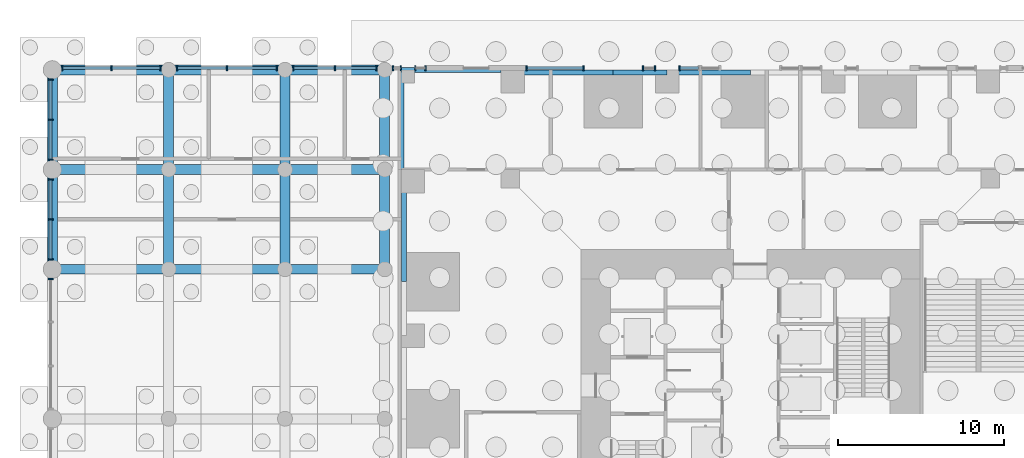
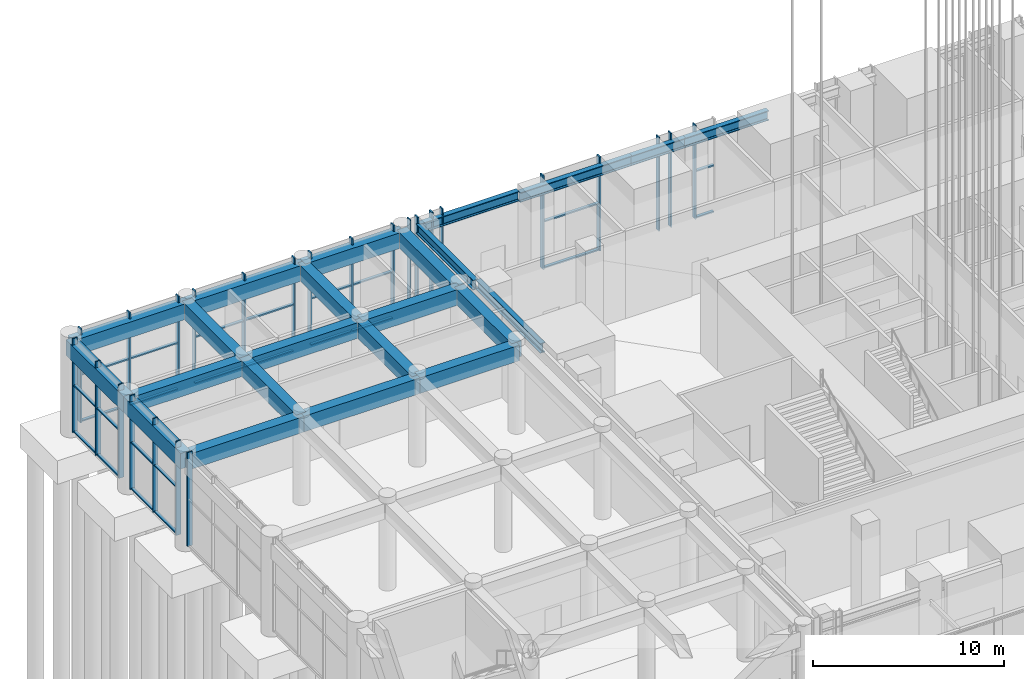
# One storey, part 7 of 46: 49 members, 23 beams, 11 elements without a shape of their own.
"""IFC4 building model written with IfcOpenShell, lengths in metres."""

from ifc_helpers import new_model, si_unit, direction, frame, origin, origin_2d, place, context, subcontext, project, spatial, rectangle, i_section, extrude, material, material_profile, profile_set, type_object, element, aggregate, save


model = new_model("IFC4")

# Units and contexts
model_context = context("Model", 3, precision=1e-05, world=origin(), true_north=direction((0.0, 1.0)))
body_context = subcontext(model_context, "Body", "Model", "MODEL_VIEW")
ifc_project = project(units=[si_unit("LENGTHUNIT", "METRE"), si_unit("AREAUNIT", "SQUARE_METRE"), si_unit("VOLUMEUNIT", "CUBIC_METRE"), si_unit("PLANEANGLEUNIT", "RADIAN"), si_unit("MASSUNIT", "GRAM", prefix="KILO")], contexts=[model_context])

# Site, building, storey
site_placement = place(None, origin())
site = spatial("IfcSite", under=ifc_project, at=site_placement, CompositionType="ELEMENT")
building_placement = place(site_placement, origin())
building = spatial("IfcBuilding", under=site, at=building_placement, Name="Svetlomir Tower", CompositionType="ELEMENT")
storey_placement = place(building_placement, origin())
storey = spatial("IfcBuildingStorey", under=building, at=storey_placement, Name="L00", CompositionType="ELEMENT", Elevation=0.0)

# Curtain wall, member
ifc_material_1 = material(Name="Bronze anodised aluminium curtain wall", Category="aluminium")
curtain_wall_type = type_object("IfcCurtainWallType", Name="CURTAIN WALL CW5 PODIUM", PredefinedType="NOTDEFINED", material=ifc_material_1)
curtain_wall_1_placement = place(storey_placement, origin())
curtain_wall_1 = element("IfcCurtainWall", 1, at=curtain_wall_1_placement, inside=storey, type_object=curtain_wall_type, Name="Curtain wall CW5 L00", PredefinedType="NOTDEFINED")
ifc_material_2 = material(Name="Bronze anodised aluminium", Category="aluminium")
ifc_material_profile_1 = material_profile(ifc_material_2, rectangle(XDim=0.080078125, YDim=0.300048828125, at=origin_2d()), Name="AL 80x300")
ifc_profile_set_1 = profile_set([ifc_material_profile_1], Name="Bronze anodised aluminium 6063-T6")
member_type_1 = type_object("IfcMemberType", Name="CW5 MULLION 80x300", PredefinedType="MULLION", material=ifc_profile_set_1)
member_1_placement = place(storey_placement, frame((16.739990234375, 42.10009765625, 0.0), z_axis=(0.0, 0.0, 1.0), x_axis=(-1.0, 0.0, 0.0)))
member_1 = element("IfcMember", 2, at=member_1_placement, type_object=member_type_1, Name="CW5 mullion 2", PredefinedType="MULLION", context=body_context, shape_type="SweptSolid", body=[
    extrude(rectangle(XDim=0.080078125, YDim=0.300048828125, at=origin_2d()), origin(), (0.0, 0.0, 1.0), 6.0),
])

# Curtain wall, members
curtain_wall_2_placement = place(storey_placement, origin())
curtain_wall_2 = element("IfcCurtainWall", 3, at=curtain_wall_2_placement, inside=storey, type_object=curtain_wall_type, Name="Curtain wall CW5 L00", PredefinedType="NOTDEFINED")
member_2_placement = place(storey_placement, frame((15.260009765625, 42.10009765625, 0.0), z_axis=(0.0, 0.0, 1.0), x_axis=(-1.0, 0.0, 0.0)))
member_2 = element("IfcMember", 4, at=member_2_placement, type_object=member_type_1, Name="CW5 mullion 1", PredefinedType="MULLION", context=body_context, shape_type="SweptSolid", body=[
    extrude(rectangle(XDim=0.080078125, YDim=0.300048828125, at=origin_2d()), origin(), (0.0, 0.0, 1.0), 6.0),
])
member_3_placement = place(storey_placement, frame((14.5400390625, 42.10009765625, 0.0), z_axis=(0.0, 0.0, 1.0), x_axis=(-1.0, 0.0, 0.0)))
member_3 = element("IfcMember", 5, at=member_3_placement, type_object=member_type_1, Name="CW5 mullion 2", PredefinedType="MULLION", context=body_context, shape_type="SweptSolid", body=[
    extrude(rectangle(XDim=0.080078125, YDim=0.300048828125, at=origin_2d()), origin(), (0.0, 0.0, 1.0), 6.0),
])
aggregate(curtain_wall_2, [member_2, member_3])

curtain_wall_3_placement = place(storey_placement, origin())
curtain_wall_3 = element("IfcCurtainWall", 6, at=curtain_wall_3_placement, inside=storey, type_object=curtain_wall_type, Name="Curtain wall CW5 L00", PredefinedType="NOTDEFINED")
member_4_placement = place(storey_placement, frame((10.9599609375, 42.10009765625, 0.0), z_axis=(0.0, 0.0, 1.0), x_axis=(-1.0, 0.0, 0.0)))
member_4 = element("IfcMember", 7, at=member_4_placement, type_object=member_type_1, Name="CW5 mullion 1", PredefinedType="MULLION", context=body_context, shape_type="SweptSolid", body=[
    extrude(rectangle(XDim=0.080078125, YDim=0.300048828125, at=origin_2d()), origin(), (0.0, 0.0, 1.0), 6.0),
])
member_5_placement = place(storey_placement, frame((7.5400390625, 42.10009765625, 0.0), z_axis=(0.0, 0.0, 1.0), x_axis=(-1.0, 0.0, 0.0)))
member_5 = element("IfcMember", 8, at=member_5_placement, type_object=member_type_1, Name="CW5 mullion 2", PredefinedType="MULLION", context=body_context, shape_type="SweptSolid", body=[
    extrude(rectangle(XDim=0.080078125, YDim=0.300048828125, at=origin_2d()), origin(), (0.0, 0.0, 1.0), 6.0),
])

curtain_wall_4_placement = place(storey_placement, origin())
curtain_wall_4 = element("IfcCurtainWall", 9, at=curtain_wall_4_placement, inside=storey, type_object=curtain_wall_type, Name="Curtain wall CW5 L00", PredefinedType="NOTDEFINED")
member_6_placement = place(storey_placement, frame((1.4599609375, 42.10009765625, 0.0), z_axis=(0.0, 0.0, 1.0), x_axis=(-1.0, 0.0, 0.0)))
member_6 = element("IfcMember", 10, at=member_6_placement, type_object=member_type_1, Name="CW5 mullion 1", PredefinedType="MULLION", context=body_context, shape_type="SweptSolid", body=[
    extrude(rectangle(XDim=0.080078125, YDim=0.300048828125, at=origin_2d()), origin(), (0.0, 0.0, 1.0), 6.0),
])
member_7_placement = place(storey_placement, frame((0.840087890625, 42.10009765625, 0.0), z_axis=(0.0, 0.0, 1.0), x_axis=(-1.0, 0.0, 0.0)))
member_7 = element("IfcMember", 11, at=member_7_placement, type_object=member_type_1, Name="CW5 mullion 2", PredefinedType="MULLION", context=body_context, shape_type="SweptSolid", body=[
    extrude(rectangle(XDim=0.080078125, YDim=0.300048828125, at=origin_2d()), origin(), (0.0, 0.0, 1.0), 6.0),
])
aggregate(curtain_wall_4, [member_6, member_7])

curtain_wall_5_placement = place(storey_placement, origin())
curtain_wall_5 = element("IfcCurtainWall", 12, at=curtain_wall_5_placement, inside=storey, type_object=curtain_wall_type, Name="Curtain wall CW5 L00", PredefinedType="NOTDEFINED")
member_8_placement = place(storey_placement, frame((-0.0400390625, 42.10009765625, 0.0), z_axis=(0.0, 0.0, 1.0), x_axis=(-1.0, 0.0, 0.0)))
member_8 = element("IfcMember", 13, at=member_8_placement, type_object=member_type_1, Name="CW5 mullion 1", PredefinedType="MULLION", context=body_context, shape_type="SweptSolid", body=[
    extrude(rectangle(XDim=0.080078125, YDim=0.300048828125, at=origin_2d()), origin(), (0.0, 0.0, 1.0), 6.0),
])
member_9_placement = place(storey_placement, frame((-0.510009765625, 42.10009765625, 0.0), z_axis=(0.0, 0.0, 1.0), x_axis=(-1.0, 0.0, 0.0)))
member_9 = element("IfcMember", 14, at=member_9_placement, type_object=member_type_1, Name="CW5 mullion 2", PredefinedType="MULLION", context=body_context, shape_type="SweptSolid", body=[
    extrude(rectangle(XDim=0.080078125, YDim=0.300048828125, at=origin_2d()), origin(), (0.0, 0.0, 1.0), 6.0),
])
aggregate(curtain_wall_5, [member_8, member_9])

curtain_wall_6_placement = place(storey_placement, origin())
curtain_wall_6 = element("IfcCurtainWall", 15, at=curtain_wall_6_placement, inside=storey, type_object=curtain_wall_type, Name="Curtain wall CW5 L00", PredefinedType="NOTDEFINED")
member_10_placement = place(storey_placement, frame((-1.489990234375, 42.10009765625, 0.0), z_axis=(0.0, 0.0, 1.0), x_axis=(-1.0, 0.0, 0.0)))
member_10 = element("IfcMember", 16, at=member_10_placement, type_object=member_type_1, Name="CW5 mullion 1", PredefinedType="MULLION", context=body_context, shape_type="SweptSolid", body=[
    extrude(rectangle(XDim=0.080078125, YDim=0.300048828125, at=origin_2d()), origin(), (0.0, 0.0, 1.0), 6.0),
])
member_11_placement = place(storey_placement, frame((-4.0, 42.10009765625, 0.0), z_axis=(0.0, 0.0, 1.0), x_axis=(-1.0, 0.0, 0.0)))
member_11 = element("IfcMember", 17, at=member_11_placement, type_object=member_type_1, Name="CW5 mullion 2", PredefinedType="MULLION", context=body_context, shape_type="SweptSolid", body=[
    extrude(rectangle(XDim=0.080078125, YDim=0.300048828125, at=origin_2d()), origin(), (0.0, 0.0, 1.0), 6.0),
])
member_12_placement = place(storey_placement, frame((-6.510009765625, 42.10009765625, 0.0), z_axis=(0.0, 0.0, 1.0), x_axis=(-1.0, 0.0, 0.0)))
member_12 = element("IfcMember", 18, at=member_12_placement, type_object=member_type_1, Name="CW5 mullion 3", PredefinedType="MULLION", context=body_context, shape_type="SweptSolid", body=[
    extrude(rectangle(XDim=0.080078125, YDim=0.300048828125, at=origin_2d()), origin(), (0.0, 0.0, 1.0), 6.0),
])

curtain_wall_7_placement = place(storey_placement, origin())
curtain_wall_7 = element("IfcCurtainWall", 19, at=curtain_wall_7_placement, inside=storey, type_object=curtain_wall_type, Name="Curtain wall CW5 L00", PredefinedType="NOTDEFINED")
member_13_placement = place(storey_placement, frame((-7.489990234375, 42.10009765625, 0.0), z_axis=(0.0, 0.0, 1.0), x_axis=(-1.0, 0.0, 0.0)))
member_13 = element("IfcMember", 20, at=member_13_placement, type_object=member_type_1, Name="CW5 mullion 1", PredefinedType="MULLION", context=body_context, shape_type="SweptSolid", body=[
    extrude(rectangle(XDim=0.080078125, YDim=0.300048828125, at=origin_2d()), origin(), (0.0, 0.0, 1.0), 6.0),
])
member_14_placement = place(storey_placement, frame((-10.5, 42.10009765625, 0.0), z_axis=(0.0, 0.0, 1.0), x_axis=(-1.0, 0.0, 0.0)))
member_14 = element("IfcMember", 21, at=member_14_placement, type_object=member_type_1, Name="CW5 mullion 2", PredefinedType="MULLION", context=body_context, shape_type="SweptSolid", body=[
    extrude(rectangle(XDim=0.080078125, YDim=0.300048828125, at=origin_2d()), origin(), (0.0, 0.0, 1.0), 6.0),
])
member_15_placement = place(storey_placement, frame((-13.510009765625, 42.10009765625, 0.0), z_axis=(0.0, 0.0, 1.0), x_axis=(-1.0, 0.0, 0.0)))
member_15 = element("IfcMember", 22, at=member_15_placement, type_object=member_type_1, Name="CW5 mullion 3", PredefinedType="MULLION", context=body_context, shape_type="SweptSolid", body=[
    extrude(rectangle(XDim=0.080078125, YDim=0.300048828125, at=origin_2d()), origin(), (0.0, 0.0, 1.0), 6.0),
])

curtain_wall_8_placement = place(storey_placement, origin())
curtain_wall_8 = element("IfcCurtainWall", 23, at=curtain_wall_8_placement, inside=storey, type_object=curtain_wall_type, Name="Curtain wall CW5 L00", PredefinedType="NOTDEFINED")
member_16_placement = place(storey_placement, frame((-14.489990234375, 42.10009765625, 0.0), z_axis=(0.0, 0.0, 1.0), x_axis=(-1.0, 0.0, 0.0)))
member_16 = element("IfcMember", 24, at=member_16_placement, type_object=member_type_1, Name="CW5 mullion 1", PredefinedType="MULLION", context=body_context, shape_type="SweptSolid", body=[
    extrude(rectangle(XDim=0.080078125, YDim=0.300048828125, at=origin_2d()), origin(), (0.0, 0.0, 1.0), 6.0),
])
member_17_placement = place(storey_placement, frame((-17.449951171875, 42.10009765625, 0.0), z_axis=(0.0, 0.0, 1.0), x_axis=(-1.0, 0.0, 0.0)))
member_17 = element("IfcMember", 25, at=member_17_placement, type_object=member_type_1, Name="CW5 mullion 2", PredefinedType="MULLION", context=body_context, shape_type="SweptSolid", body=[
    extrude(rectangle(XDim=0.080078125, YDim=0.300048828125, at=origin_2d()), origin(), (0.0, 0.0, 1.0), 6.0),
])
member_18_placement = place(storey_placement, frame((-20.409912109375, 42.10009765625, 0.0), z_axis=(0.0, 0.0, 1.0), x_axis=(-1.0, 0.0, 0.0)))
member_18 = element("IfcMember", 26, at=member_18_placement, type_object=member_type_1, Name="CW5 mullion 3", PredefinedType="MULLION", context=body_context, shape_type="SweptSolid", body=[
    extrude(rectangle(XDim=0.080078125, YDim=0.300048828125, at=origin_2d()), origin(), (0.0, 0.0, 1.0), 6.0),
])

curtain_wall_9_placement = place(storey_placement, origin())
curtain_wall_9 = element("IfcCurtainWall", 27, at=curtain_wall_9_placement, inside=storey, type_object=curtain_wall_type, Name="Curtain wall CW5 L00", PredefinedType="NOTDEFINED")
member_19_placement = place(storey_placement, frame((-21.10009765625, 41.409912109375, 0.0), z_axis=(0.0, 0.0, 1.0), x_axis=(0.0, -1.0, 0.0)))
member_19 = element("IfcMember", 28, at=member_19_placement, type_object=member_type_1, Name="CW5 mullion 1", PredefinedType="MULLION", context=body_context, shape_type="SweptSolid", body=[
    extrude(rectangle(XDim=0.080078125, YDim=0.300048828125, at=origin_2d()), origin(), (0.0, 0.0, 1.0), 6.0),
])
member_20_placement = place(storey_placement, frame((-21.10009765625, 39.0, 0.0), z_axis=(0.0, 0.0, 1.0), x_axis=(0.0, -1.0, 0.0)))
member_20 = element("IfcMember", 29, at=member_20_placement, type_object=member_type_1, Name="CW5 mullion 2", PredefinedType="MULLION", context=body_context, shape_type="SweptSolid", body=[
    extrude(rectangle(XDim=0.080078125, YDim=0.300048828125, at=origin_2d()), origin(), (0.0, 0.0, 1.0), 6.0),
])
member_21_placement = place(storey_placement, frame((-21.10009765625, 36.590087890625, 0.0), z_axis=(0.0, 0.0, 1.0), x_axis=(0.0, -1.0, 0.0)))
member_21 = element("IfcMember", 30, at=member_21_placement, type_object=member_type_1, Name="CW5 mullion 3", PredefinedType="MULLION", context=body_context, shape_type="SweptSolid", body=[
    extrude(rectangle(XDim=0.080078125, YDim=0.300048828125, at=origin_2d()), origin(), (0.0, 0.0, 1.0), 6.0),
])

curtain_wall_10_placement = place(storey_placement, origin())
curtain_wall_10 = element("IfcCurtainWall", 31, at=curtain_wall_10_placement, inside=storey, type_object=curtain_wall_type, Name="Curtain wall CW5 L00", PredefinedType="NOTDEFINED")
member_22_placement = place(storey_placement, frame((-21.10009765625, 35.409912109375, 0.0), z_axis=(0.0, 0.0, 1.0), x_axis=(0.0, -1.0, 0.0)))
member_22 = element("IfcMember", 32, at=member_22_placement, type_object=member_type_1, Name="CW5 mullion 1", PredefinedType="MULLION", context=body_context, shape_type="SweptSolid", body=[
    extrude(rectangle(XDim=0.080078125, YDim=0.300048828125, at=origin_2d()), origin(), (0.0, 0.0, 1.0), 6.0),
])
member_23_placement = place(storey_placement, frame((-21.10009765625, 33.0, 0.0), z_axis=(0.0, 0.0, 1.0), x_axis=(0.0, -1.0, 0.0)))
member_23 = element("IfcMember", 33, at=member_23_placement, type_object=member_type_1, Name="CW5 mullion 2", PredefinedType="MULLION", context=body_context, shape_type="SweptSolid", body=[
    extrude(rectangle(XDim=0.080078125, YDim=0.300048828125, at=origin_2d()), origin(), (0.0, 0.0, 1.0), 6.0),
])
member_24_placement = place(storey_placement, frame((-21.10009765625, 30.590087890625, 0.0), z_axis=(0.0, 0.0, 1.0), x_axis=(0.0, -1.0, 0.0)))
member_24 = element("IfcMember", 34, at=member_24_placement, type_object=member_type_1, Name="CW5 mullion 3", PredefinedType="MULLION", context=body_context, shape_type="SweptSolid", body=[
    extrude(rectangle(XDim=0.080078125, YDim=0.300048828125, at=origin_2d()), origin(), (0.0, 0.0, 1.0), 6.0),
])

# Curtain wall, member
curtain_wall_11_placement = place(storey_placement, origin())
curtain_wall_11 = element("IfcCurtainWall", 35, at=curtain_wall_11_placement, inside=storey, type_object=curtain_wall_type, Name="Curtain wall CW5 L00", PredefinedType="NOTDEFINED")
member_25_placement = place(storey_placement, frame((-21.10009765625, 29.409912109375, 0.0), z_axis=(0.0, 0.0, 1.0), x_axis=(0.0, -1.0, 0.0)))
member_25 = element("IfcMember", 36, at=member_25_placement, type_object=member_type_1, Name="CW5 mullion 1", PredefinedType="MULLION", context=body_context, shape_type="SweptSolid", body=[
    extrude(rectangle(XDim=0.080078125, YDim=0.300048828125, at=origin_2d()), origin(), (0.0, 0.0, 1.0), 6.0),
])
aggregate(curtain_wall_11, [member_25])

# Member
ifc_material_3 = material(Name="Bronze anodised aluminium", Category="aluminium")
ifc_material_profile_2 = material_profile(ifc_material_3, rectangle(XDim=0.179931640625, YDim=0.080078125, at=origin_2d()), Name="AL 180x80")
ifc_profile_set_2 = profile_set([ifc_material_profile_2], Name="Bronze anodised aluminium 6063-T6")
member_type_2 = type_object("IfcMemberType", Name="CW5 TRANSOM 80x180", PredefinedType="USERDEFINED", material=ifc_profile_set_2)
member_26_placement = place(storey_placement, frame((17.8701171875, 42.10009765625, 0.0400390625), z_axis=(-1.0, 0.0, 0.0), x_axis=(0.0, -1.0, 0.0)))
member_26 = element("IfcMember", 37, at=member_26_placement, type_object=member_type_2, Name="CW5 transom 1.1", ObjectType="TRANSOM", PredefinedType="USERDEFINED", context=body_context, shape_type="SweptSolid", body=[
    extrude(rectangle(XDim=0.179931640625, YDim=0.080078125, at=origin_2d()), origin(), (0.0, 0.0, 1.0), 1.090087890625),
])

member_27_placement = place(storey_placement, frame((17.8701171875, 42.10009765625, 3.0), z_axis=(-1.0, 0.0, 0.0), x_axis=(0.0, -1.0, 0.0)))
member_27 = element("IfcMember", 38, at=member_27_placement, type_object=member_type_2, Name="CW5 transom 1.2", ObjectType="TRANSOM", PredefinedType="USERDEFINED", context=body_context, shape_type="SweptSolid", body=[
    extrude(rectangle(XDim=0.179931640625, YDim=0.080078125, at=origin_2d()), origin(), (0.0, 0.0, 1.0), 1.090087890625),
])

aggregate(curtain_wall_1, [member_1, member_26, member_27])

member_28_placement = place(storey_placement, frame((10.919921875, 42.10009765625, 0.0400390625), z_axis=(-1.0, 0.0, 0.0), x_axis=(0.0, -1.0, 0.0)))
member_28 = element("IfcMember", 39, at=member_28_placement, type_object=member_type_2, Name="CW5 transom 1.1", ObjectType="TRANSOM", PredefinedType="USERDEFINED", context=body_context, shape_type="SweptSolid", body=[
    extrude(rectangle(XDim=0.179931640625, YDim=0.080078125, at=origin_2d()), origin(), (0.0, 0.0, 1.0), 3.33984375),
])

member_29_placement = place(storey_placement, frame((10.919921875, 42.10009765625, 3.0), z_axis=(-1.0, 0.0, 0.0), x_axis=(0.0, -1.0, 0.0)))
member_29 = element("IfcMember", 40, at=member_29_placement, type_object=member_type_2, Name="CW5 transom 1.2", ObjectType="TRANSOM", PredefinedType="USERDEFINED", context=body_context, shape_type="SweptSolid", body=[
    extrude(rectangle(XDim=0.179931640625, YDim=0.080078125, at=origin_2d()), origin(), (0.0, 0.0, 1.0), 3.33984375),
])

aggregate(curtain_wall_3, [member_4, member_5, member_28, member_29])

member_30_placement = place(storey_placement, frame((-1.530029296875, 42.10009765625, 0.0400390625), z_axis=(-1.0, 0.0, 0.0), x_axis=(0.0, -1.0, 0.0)))
member_30 = element("IfcMember", 41, at=member_30_placement, type_object=member_type_2, Name="CW5 transom 1.1", ObjectType="TRANSOM", PredefinedType="USERDEFINED", context=body_context, shape_type="SweptSolid", body=[
    extrude(rectangle(XDim=0.179931640625, YDim=0.080078125, at=origin_2d()), origin(), (0.0, 0.0, 1.0), 2.429931640625),
])

member_31_placement = place(storey_placement, frame((-1.530029296875, 42.10009765625, 3.0), z_axis=(-1.0, 0.0, 0.0), x_axis=(0.0, -1.0, 0.0)))
member_31 = element("IfcMember", 42, at=member_31_placement, type_object=member_type_2, Name="CW5 transom 1.2", ObjectType="TRANSOM", PredefinedType="USERDEFINED", context=body_context, shape_type="SweptSolid", body=[
    extrude(rectangle(XDim=0.179931640625, YDim=0.080078125, at=origin_2d()), origin(), (0.0, 0.0, 1.0), 2.429931640625),
])

member_32_placement = place(storey_placement, frame((-4.0400390625, 42.10009765625, 0.0400390625), z_axis=(-1.0, 0.0, 0.0), x_axis=(0.0, -1.0, 0.0)))
member_32 = element("IfcMember", 43, at=member_32_placement, type_object=member_type_2, Name="CW5 transom 2.1", ObjectType="TRANSOM", PredefinedType="USERDEFINED", context=body_context, shape_type="SweptSolid", body=[
    extrude(rectangle(XDim=0.179931640625, YDim=0.080078125, at=origin_2d()), origin(), (0.0, 0.0, 1.0), 2.429931640625),
])

member_33_placement = place(storey_placement, frame((-4.0400390625, 42.10009765625, 3.0), z_axis=(-1.0, 0.0, 0.0), x_axis=(0.0, -1.0, 0.0)))
member_33 = element("IfcMember", 44, at=member_33_placement, type_object=member_type_2, Name="CW5 transom 2.2", ObjectType="TRANSOM", PredefinedType="USERDEFINED", context=body_context, shape_type="SweptSolid", body=[
    extrude(rectangle(XDim=0.179931640625, YDim=0.080078125, at=origin_2d()), origin(), (0.0, 0.0, 1.0), 2.429931640625),
])

aggregate(curtain_wall_6, [member_10, member_11, member_12, member_30, member_31, member_32, member_33])

member_34_placement = place(storey_placement, frame((-7.530029296875, 42.10009765625, 0.0400390625), z_axis=(-1.0, 0.0, 0.0), x_axis=(0.0, -1.0, 0.0)))
member_34 = element("IfcMember", 45, at=member_34_placement, type_object=member_type_2, Name="CW5 transom 1.1", ObjectType="TRANSOM", PredefinedType="USERDEFINED", context=body_context, shape_type="SweptSolid", body=[
    extrude(rectangle(XDim=0.179931640625, YDim=0.080078125, at=origin_2d()), origin(), (0.0, 0.0, 1.0), 2.929931640625),
])

member_35_placement = place(storey_placement, frame((-7.530029296875, 42.10009765625, 3.0), z_axis=(-1.0, 0.0, 0.0), x_axis=(0.0, -1.0, 0.0)))
member_35 = element("IfcMember", 46, at=member_35_placement, type_object=member_type_2, Name="CW5 transom 1.2", ObjectType="TRANSOM", PredefinedType="USERDEFINED", context=body_context, shape_type="SweptSolid", body=[
    extrude(rectangle(XDim=0.179931640625, YDim=0.080078125, at=origin_2d()), origin(), (0.0, 0.0, 1.0), 2.929931640625),
])

member_36_placement = place(storey_placement, frame((-10.5400390625, 42.10009765625, 0.0400390625), z_axis=(-1.0, 0.0, 0.0), x_axis=(0.0, -1.0, 0.0)))
member_36 = element("IfcMember", 47, at=member_36_placement, type_object=member_type_2, Name="CW5 transom 2.1", ObjectType="TRANSOM", PredefinedType="USERDEFINED", context=body_context, shape_type="SweptSolid", body=[
    extrude(rectangle(XDim=0.179931640625, YDim=0.080078125, at=origin_2d()), origin(), (0.0, 0.0, 1.0), 2.929931640625),
])

member_37_placement = place(storey_placement, frame((-10.5400390625, 42.10009765625, 3.0), z_axis=(-1.0, 0.0, 0.0), x_axis=(0.0, -1.0, 0.0)))
member_37 = element("IfcMember", 48, at=member_37_placement, type_object=member_type_2, Name="CW5 transom 2.2", ObjectType="TRANSOM", PredefinedType="USERDEFINED", context=body_context, shape_type="SweptSolid", body=[
    extrude(rectangle(XDim=0.179931640625, YDim=0.080078125, at=origin_2d()), origin(), (0.0, 0.0, 1.0), 2.929931640625),
])

aggregate(curtain_wall_7, [member_13, member_14, member_15, member_34, member_35, member_36, member_37])

member_38_placement = place(storey_placement, frame((-14.530029296875, 42.10009765625, 0.0400390625), z_axis=(-1.0, 0.0, 0.0), x_axis=(0.0, -1.0, 0.0)))
member_38 = element("IfcMember", 49, at=member_38_placement, type_object=member_type_2, Name="CW5 transom 1.1", ObjectType="TRANSOM", PredefinedType="USERDEFINED", context=body_context, shape_type="SweptSolid", body=[
    extrude(rectangle(XDim=0.179931640625, YDim=0.080078125, at=origin_2d()), origin(), (0.0, 0.0, 1.0), 2.8798828125),
])

member_39_placement = place(storey_placement, frame((-14.530029296875, 42.10009765625, 3.0), z_axis=(-1.0, 0.0, 0.0), x_axis=(0.0, -1.0, 0.0)))
member_39 = element("IfcMember", 50, at=member_39_placement, type_object=member_type_2, Name="CW5 transom 1.2", ObjectType="TRANSOM", PredefinedType="USERDEFINED", context=body_context, shape_type="SweptSolid", body=[
    extrude(rectangle(XDim=0.179931640625, YDim=0.080078125, at=origin_2d()), origin(), (0.0, 0.0, 1.0), 2.8798828125),
])

member_40_placement = place(storey_placement, frame((-17.489990234375, 42.10009765625, 0.0400390625), z_axis=(-1.0, 0.0, 0.0), x_axis=(0.0, -1.0, 0.0)))
member_40 = element("IfcMember", 51, at=member_40_placement, type_object=member_type_2, Name="CW5 transom 2.1", ObjectType="TRANSOM", PredefinedType="USERDEFINED", context=body_context, shape_type="SweptSolid", body=[
    extrude(rectangle(XDim=0.179931640625, YDim=0.080078125, at=origin_2d()), origin(), (0.0, 0.0, 1.0), 2.880126953125),
])

member_41_placement = place(storey_placement, frame((-17.489990234375, 42.10009765625, 3.0), z_axis=(-1.0, 0.0, 0.0), x_axis=(0.0, -1.0, 0.0)))
member_41 = element("IfcMember", 52, at=member_41_placement, type_object=member_type_2, Name="CW5 transom 2.2", ObjectType="TRANSOM", PredefinedType="USERDEFINED", context=body_context, shape_type="SweptSolid", body=[
    extrude(rectangle(XDim=0.179931640625, YDim=0.080078125, at=origin_2d()), origin(), (0.0, 0.0, 1.0), 2.880126953125),
])

aggregate(curtain_wall_8, [member_16, member_17, member_18, member_38, member_39, member_40, member_41])

member_42_placement = place(storey_placement, frame((-21.10009765625, 41.3701171875, 0.0400390625), z_axis=(0.0, -1.0, 0.0), x_axis=(1.0, 0.0, 0.0)))
member_42 = element("IfcMember", 53, at=member_42_placement, type_object=member_type_2, Name="CW5 transom 1.1", ObjectType="TRANSOM", PredefinedType="USERDEFINED", context=body_context, shape_type="SweptSolid", body=[
    extrude(rectangle(XDim=0.179931640625, YDim=0.080078125, at=origin_2d()), origin(), (0.0, 0.0, 1.0), 2.330078125),
])

member_43_placement = place(storey_placement, frame((-21.10009765625, 41.3701171875, 3.0), z_axis=(0.0, -1.0, 0.0), x_axis=(1.0, 0.0, 0.0)))
member_43 = element("IfcMember", 54, at=member_43_placement, type_object=member_type_2, Name="CW5 transom 1.2", ObjectType="TRANSOM", PredefinedType="USERDEFINED", context=body_context, shape_type="SweptSolid", body=[
    extrude(rectangle(XDim=0.179931640625, YDim=0.080078125, at=origin_2d()), origin(), (0.0, 0.0, 1.0), 2.330078125),
])

member_44_placement = place(storey_placement, frame((-21.10009765625, 38.9599609375, 0.0400390625), z_axis=(0.0, -1.0, 0.0), x_axis=(1.0, 0.0, 0.0)))
member_44 = element("IfcMember", 55, at=member_44_placement, type_object=member_type_2, Name="CW5 transom 2.1", ObjectType="TRANSOM", PredefinedType="USERDEFINED", context=body_context, shape_type="SweptSolid", body=[
    extrude(rectangle(XDim=0.179931640625, YDim=0.080078125, at=origin_2d()), origin(), (0.0, 0.0, 1.0), 2.330078125),
])

member_45_placement = place(storey_placement, frame((-21.10009765625, 38.9599609375, 3.0), z_axis=(0.0, -1.0, 0.0), x_axis=(1.0, 0.0, 0.0)))
member_45 = element("IfcMember", 56, at=member_45_placement, type_object=member_type_2, Name="CW5 transom 2.2", ObjectType="TRANSOM", PredefinedType="USERDEFINED", context=body_context, shape_type="SweptSolid", body=[
    extrude(rectangle(XDim=0.179931640625, YDim=0.080078125, at=origin_2d()), origin(), (0.0, 0.0, 1.0), 2.330078125),
])

aggregate(curtain_wall_9, [member_19, member_20, member_21, member_42, member_43, member_44, member_45])

member_46_placement = place(storey_placement, frame((-21.10009765625, 35.3701171875, 0.0400390625), z_axis=(0.0, -1.0, 0.0), x_axis=(1.0, 0.0, 0.0)))
member_46 = element("IfcMember", 57, at=member_46_placement, type_object=member_type_2, Name="CW5 transom 1.1", ObjectType="TRANSOM", PredefinedType="USERDEFINED", context=body_context, shape_type="SweptSolid", body=[
    extrude(rectangle(XDim=0.179931640625, YDim=0.080078125, at=origin_2d()), origin(), (0.0, 0.0, 1.0), 2.330078125),
])

member_47_placement = place(storey_placement, frame((-21.10009765625, 35.3701171875, 3.0), z_axis=(0.0, -1.0, 0.0), x_axis=(1.0, 0.0, 0.0)))
member_47 = element("IfcMember", 58, at=member_47_placement, type_object=member_type_2, Name="CW5 transom 1.2", ObjectType="TRANSOM", PredefinedType="USERDEFINED", context=body_context, shape_type="SweptSolid", body=[
    extrude(rectangle(XDim=0.179931640625, YDim=0.080078125, at=origin_2d()), origin(), (0.0, 0.0, 1.0), 2.330078125),
])

member_48_placement = place(storey_placement, frame((-21.10009765625, 32.9599609375, 0.0400390625), z_axis=(0.0, -1.0, 0.0), x_axis=(1.0, 0.0, 0.0)))
member_48 = element("IfcMember", 59, at=member_48_placement, type_object=member_type_2, Name="CW5 transom 2.1", ObjectType="TRANSOM", PredefinedType="USERDEFINED", context=body_context, shape_type="SweptSolid", body=[
    extrude(rectangle(XDim=0.179931640625, YDim=0.080078125, at=origin_2d()), origin(), (0.0, 0.0, 1.0), 2.330078125),
])

member_49_placement = place(storey_placement, frame((-21.10009765625, 32.9599609375, 3.0), z_axis=(0.0, -1.0, 0.0), x_axis=(1.0, 0.0, 0.0)))
member_49 = element("IfcMember", 60, at=member_49_placement, type_object=member_type_2, Name="CW5 transom 2.2", ObjectType="TRANSOM", PredefinedType="USERDEFINED", context=body_context, shape_type="SweptSolid", body=[
    extrude(rectangle(XDim=0.179931640625, YDim=0.080078125, at=origin_2d()), origin(), (0.0, 0.0, 1.0), 2.330078125),
])

aggregate(curtain_wall_10, [member_22, member_23, member_24, member_46, member_47, member_48, member_49])

# Beams
ifc_material_4 = material(Name="Concrete C60/75", Category="concrete")
ifc_material_profile_3 = material_profile(ifc_material_4, rectangle(XDim=0.60009765625, YDim=1.0, at=origin_2d()), Name="RC 600x1000")
ifc_profile_set_3 = profile_set([ifc_material_profile_3], Name="Concrete C60/75")
beam_type_1 = type_object("IfcBeamType", Name="PODIUM BEAM RC 600x1000", PredefinedType="BEAM", material=ifc_profile_set_3)
beam_1_placement = place(storey_placement, frame((-21.0, 30.0, 5.10009765625), z_axis=(0.0, 1.0, 0.0), x_axis=(-1.0, 0.0, 0.0)))
element("IfcBeam", 61, at=beam_1_placement, inside=storey, type_object=beam_type_1, Name="Podium beam -21/30 to -21/36 under L01", PredefinedType="BEAM", context=body_context, shape_type="SweptSolid", body=[
    extrude(rectangle(XDim=0.60009765625, YDim=1.0, at=origin_2d()), origin(), (0.0, 0.0, 1.0), 6.0),
])
beam_2_placement = place(storey_placement, frame((-21.0, 30.0, 5.10009765625), z_axis=(1.0, 0.0, 0.0), x_axis=(0.0, 1.0, 0.0)))
element("IfcBeam", 62, at=beam_2_placement, inside=storey, type_object=beam_type_1, Name="Podium beam -21/30 to -14/30 under L01", PredefinedType="BEAM", context=body_context, shape_type="SweptSolid", body=[
    extrude(rectangle(XDim=0.60009765625, YDim=1.0, at=origin_2d()), origin(), (0.0, 0.0, 1.0), 7.0),
])
beam_3_placement = place(storey_placement, frame((-21.0, 36.0, 5.10009765625), z_axis=(0.0, 1.0, 0.0), x_axis=(-1.0, 0.0, 0.0)))
element("IfcBeam", 63, at=beam_3_placement, inside=storey, type_object=beam_type_1, Name="Podium beam -21/36 to -21/42 under L01", PredefinedType="BEAM", context=body_context, shape_type="SweptSolid", body=[
    extrude(rectangle(XDim=0.60009765625, YDim=1.0, at=origin_2d()), origin(), (0.0, 0.0, 1.0), 6.0),
])
for number, where, z_axis, x_axis, name in (
    (64, (-21.0, 36.0, 5.10009765625), (1.0, 0.0, 0.0), (0.0, 1.0, 0.0), "Podium beam -21/36 to -14/36 under L01"),
    (65, (-21.0, 42.0, 5.10009765625), (1.0, 0.0, 0.0), (0.0, 1.0, 0.0), "Podium beam -21/42 to -14/42 under L01"),
):
    element("IfcBeam", number, at=place(storey_placement, frame(where, z_axis=z_axis, x_axis=x_axis)), inside=storey, type_object=beam_type_1, Name=name, PredefinedType="BEAM", context=body_context, shape_type="SweptSolid", body=[
        extrude(rectangle(XDim=0.60009765625, YDim=1.0, at=origin_2d()), origin(), (0.0, 0.0, 1.0), 7.0),
    ])
beam_4_placement = place(storey_placement, frame((-14.0, 30.0, 5.10009765625), z_axis=(0.0, 1.0, 0.0), x_axis=(-1.0, 0.0, 0.0)))
element("IfcBeam", 66, at=beam_4_placement, inside=storey, type_object=beam_type_1, Name="Podium beam -14/30 to -14/36 under L01", PredefinedType="BEAM", context=body_context, shape_type="SweptSolid", body=[
    extrude(rectangle(XDim=0.60009765625, YDim=1.0, at=origin_2d()), origin(), (0.0, 0.0, 1.0), 6.0),
])
beam_5_placement = place(storey_placement, frame((-14.0, 30.0, 5.10009765625), z_axis=(1.0, 0.0, 0.0), x_axis=(0.0, 1.0, 0.0)))
element("IfcBeam", 67, at=beam_5_placement, inside=storey, type_object=beam_type_1, Name="Podium beam -14/30 to -7/30 under L01", PredefinedType="BEAM", context=body_context, shape_type="SweptSolid", body=[
    extrude(rectangle(XDim=0.60009765625, YDim=1.0, at=origin_2d()), origin(), (0.0, 0.0, 1.0), 7.0),
])
beam_6_placement = place(storey_placement, frame((-14.0, 36.0, 5.10009765625), z_axis=(0.0, 1.0, 0.0), x_axis=(-1.0, 0.0, 0.0)))
element("IfcBeam", 68, at=beam_6_placement, inside=storey, type_object=beam_type_1, Name="Podium beam -14/36 to -14/42 under L01", PredefinedType="BEAM", context=body_context, shape_type="SweptSolid", body=[
    extrude(rectangle(XDim=0.60009765625, YDim=1.0, at=origin_2d()), origin(), (0.0, 0.0, 1.0), 6.0),
])
for number, where, z_axis, x_axis, name in (
    (69, (-14.0, 36.0, 5.10009765625), (1.0, 0.0, 0.0), (0.0, 1.0, 0.0), "Podium beam -14/36 to -7/36 under L01"),
    (70, (-14.0, 42.0, 5.10009765625), (1.0, 0.0, 0.0), (0.0, 1.0, 0.0), "Podium beam -14/42 to -7/42 under L01"),
):
    element("IfcBeam", number, at=place(storey_placement, frame(where, z_axis=z_axis, x_axis=x_axis)), inside=storey, type_object=beam_type_1, Name=name, PredefinedType="BEAM", context=body_context, shape_type="SweptSolid", body=[
        extrude(rectangle(XDim=0.60009765625, YDim=1.0, at=origin_2d()), origin(), (0.0, 0.0, 1.0), 7.0),
    ])
for number, where, z_axis, x_axis, name in (
    (71, (-7.0, 30.0, 5.10009765625), (0.0, 1.0, 0.0), (-1.0, 0.0, 0.0), "Podium beam -7/30 to -7/36 under L01"),
    (72, (-7.0, 30.0, 5.10009765625), (1.0, 0.0, 0.0), (0.0, 1.0, 0.0), "Podium beam -7/30 to -1/30 under L01"),
    (73, (-7.0, 36.0, 5.10009765625), (0.0, 1.0, 0.0), (-1.0, 0.0, 0.0), "Podium beam -7/36 to -7/42 under L01"),
    (74, (-7.0, 36.0, 5.10009765625), (1.0, 0.0, 0.0), (0.0, 1.0, 0.0), "Podium beam -7/36 to -1/36 under L01"),
    (75, (-7.0, 42.0, 5.10009765625), (1.0, 0.0, 0.0), (0.0, 1.0, 0.0), "Podium beam -7/42 to -1/42 under L01"),
    (76, (-1.0, 30.0, 5.10009765625), (0.0, 1.0, 0.0), (-1.0, 0.0, 0.0), "Podium beam -1/30 to -1/36 under L01"),
    (77, (-1.0, 36.0, 5.10009765625), (0.0, 1.0, 0.0), (-1.0, 0.0, 0.0), "Podium beam -1/36 to -1/42 under L01"),
):
    element("IfcBeam", number, at=place(storey_placement, frame(where, z_axis=z_axis, x_axis=x_axis)), inside=storey, type_object=beam_type_1, Name=name, PredefinedType="BEAM", context=body_context, shape_type="SweptSolid", body=[
        extrude(rectangle(XDim=0.60009765625, YDim=1.0, at=origin_2d()), origin(), (0.0, 0.0, 1.0), 6.0),
    ])
ifc_material_5 = material(Name="Steel S355", Category="steel")
ifc_material_profile_4 = material_profile(ifc_material_5, i_section(OverallWidth=0.304931640625, OverallDepth=0.6201171875, WebThickness=0.02099609375, FlangeThickness=0.0400390625, FilletRadius=0.027099609375, at=origin_2d()), Name="HEM 600")
ifc_profile_set_4 = profile_set([ifc_material_profile_4], Name="Steel S355")
beam_type_2 = type_object("IfcBeamType", Name="PODIUM EDGE BEAM HEM 600", PredefinedType="BEAM", material=ifc_profile_set_4)
beam_7_placement = place(storey_placement, frame((0.152587890625, 29.25, 5.2900390625), z_axis=(0.0, 1.0, 0.0), x_axis=(-1.0, 0.0, 0.0)))
element("IfcBeam", 78, at=beam_7_placement, inside=storey, type_object=beam_type_2, Name="Podium beam 0/31 to 0/36 under L01", PredefinedType="BEAM", context=body_context, shape_type="SweptSolid", body=[
    extrude(i_section(OverallWidth=0.304931640625, OverallDepth=0.6201171875, WebThickness=0.02099609375, FlangeThickness=0.0400390625, FilletRadius=0.027099609375, at=origin_2d()), origin(), (0.0, 0.0, 1.0), 6.75),
])
for number, where, z_axis, x_axis, name in (
    (79, (0.0, 36.0, 5.2900390625), (0.0, 1.0, 0.0), (-1.0, 0.0, 0.0), "Podium beam 0/36 to 0/42 under L01"),
    (80, (0.0, 42.0, 5.2900390625), (1.0, 0.0, 0.0), (0.0, 1.0, 0.0), "Podium beam 0/42 to 6/42 under L01"),
):
    element("IfcBeam", number, at=place(storey_placement, frame(where, z_axis=z_axis, x_axis=x_axis)), inside=storey, type_object=beam_type_2, Name=name, PredefinedType="BEAM", context=body_context, shape_type="SweptSolid", body=[
        extrude(i_section(OverallWidth=0.304931640625, OverallDepth=0.6201171875, WebThickness=0.02099609375, FlangeThickness=0.0400390625, FilletRadius=0.027099609375, at=origin_2d()), origin(), (0.0, 0.0, 1.0), 6.0),
    ])
beam_8_placement = place(storey_placement, frame((6.0, 41.847412109375, 5.2900390625), z_axis=(1.0, 0.0, 0.0), x_axis=(0.0, 1.0, 0.0)))
element("IfcBeam", 81, at=beam_8_placement, inside=storey, type_object=beam_type_2, Name="Podium beam 6/42 to 11/42 under L01", PredefinedType="BEAM", context=body_context, shape_type="SweptSolid", body=[
    extrude(i_section(OverallWidth=0.304931640625, OverallDepth=0.6201171875, WebThickness=0.02099609375, FlangeThickness=0.0400390625, FilletRadius=0.027099609375, at=origin_2d()), origin(), (0.0, 0.0, 1.0), 6.75),
])
beam_9_placement = place(storey_placement, frame((12.75, 41.847412109375, 5.2900390625), z_axis=(1.0, 0.0, 0.0), x_axis=(0.0, 1.0, 0.0)))
element("IfcBeam", 82, at=beam_9_placement, inside=storey, type_object=beam_type_2, Name="Podium beam 11/42 to 16/42 under L01", PredefinedType="BEAM", context=body_context, shape_type="SweptSolid", body=[
    extrude(i_section(OverallWidth=0.304931640625, OverallDepth=0.6201171875, WebThickness=0.02099609375, FlangeThickness=0.0400390625, FilletRadius=0.027099609375, at=origin_2d()), origin(), (0.0, 0.0, 1.0), 3.25),
])
beam_10_placement = place(storey_placement, frame((16.0, 41.847412109375, 5.2900390625), z_axis=(1.0, 0.0, 0.0), x_axis=(0.0, 1.0, 0.0)))
element("IfcBeam", 83, at=beam_10_placement, inside=storey, type_object=beam_type_2, Name="Podium beam 16/42 to 21/42 under L01", PredefinedType="BEAM", context=body_context, shape_type="SweptSolid", body=[
    extrude(i_section(OverallWidth=0.304931640625, OverallDepth=0.6201171875, WebThickness=0.02099609375, FlangeThickness=0.0400390625, FilletRadius=0.027099609375, at=origin_2d()), origin(), (0.0, 0.0, 1.0), 5.0),
])

save(model, "model.ifc")
